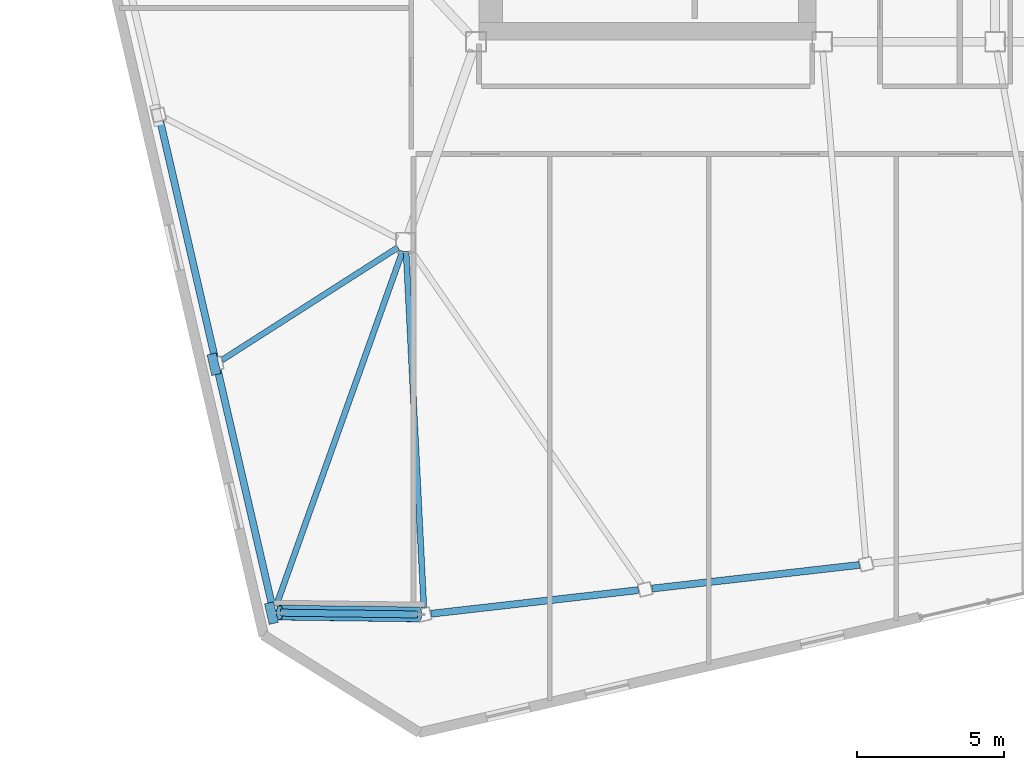
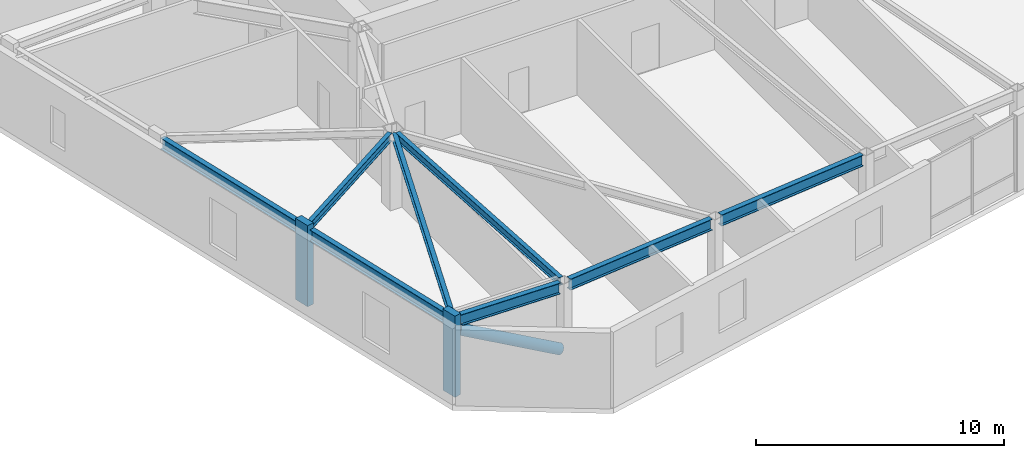
# One storey, part 4 of 23: 8 beams, 3 members.
"""IFC4 building model written with IfcOpenShell, lengths in metres."""

from ifc_helpers import new_model, si_unit, direction, frame, origin, origin_2d, place, context, subcontext, project, spatial, rectangle, hollow_circle, i_section, extrude, material, material_profile, profile_set, type_object, element, save


model = new_model("IFC4")

# Units and contexts
model_context = context("Model", 3, precision=1e-05, world=origin(), true_north=direction((0.0, 1.0)))
body_context = subcontext(model_context, "Body", "Model", "MODEL_VIEW")
ifc_project = project(units=[si_unit("LENGTHUNIT", "METRE"), si_unit("AREAUNIT", "SQUARE_METRE"), si_unit("VOLUMEUNIT", "CUBIC_METRE"), si_unit("PLANEANGLEUNIT", "RADIAN"), si_unit("MASSUNIT", "GRAM", prefix="KILO")], contexts=[model_context])

# Site, building, storey
site_placement = place(None, origin())
site = spatial("IfcSite", under=ifc_project, at=site_placement, CompositionType="ELEMENT")
building_placement = place(site_placement, origin())
building = spatial("IfcBuilding", under=site, at=building_placement, Name="Tavrogorsk Clinical Tower", CompositionType="ELEMENT")
storey_placement = place(building_placement, frame((0.0, 0.0, 301.0)))
storey = spatial("IfcBuildingStorey", under=building, at=storey_placement, Name="L70", CompositionType="ELEMENT", Elevation=301.0)

# Member
ifc_material_1 = material(Name="Structural steel S440", Category="steel")
ifc_material_profile_1 = material_profile(ifc_material_1, hollow_circle(Radius=0.25390625, WallThickness=0.02001953125, at=origin_2d()), Name="CHS-508x20")
ifc_profile_set_1 = profile_set([ifc_material_profile_1], Name="Structural steel S440")
member_type_1 = type_object("IfcMemberType", Name="ExoBrace_CHS508", PredefinedType="BRACE", material=ifc_profile_set_1)
member_placement = place(storey_placement, frame((-24.07080078125, -25.883056640625, 0.412841796875), z_axis=(-0.874894907887, 0.011394569062, 0.484178752062), x_axis=(-0.013022824449, -0.999915199426, 0.0)))
element("IfcMember", 1, at=member_placement, inside=storey, type_object=member_type_1, Name="L70 Corner Exoskeleton Brace W5-S1", PredefinedType="BRACE", context=body_context, shape_type="SweptSolid", body=[
    extrude(hollow_circle(Radius=0.25390625, WallThickness=0.02001953125, at=origin_2d()), origin(), (0.0, 0.0, 1.0), 5.3994140625),
])

# Beams
ifc_material_2 = material(Name="Structural steel S355", Category="steel")
ifc_material_profile_2 = material_profile(ifc_material_2, i_section(OverallWidth=0.199951171875, OverallDepth=0.39990234375, WebThickness=0.010498046875, FlangeThickness=0.01611328125, at=origin_2d()), Name="B-400x200x10.5x16")
ifc_profile_set_2 = profile_set([ifc_material_profile_2], Name="Structural steel S355")
beam_type_1 = type_object("IfcBeamType", Name="FloorBeam_B400", PredefinedType="BEAM", material=ifc_profile_set_2)
beam_1_placement = place(storey_placement, frame((-24.484619140625, -13.509521484375, 3.5400390625), z_axis=(0.049857498916, -0.998756341558, 0.0), x_axis=(0.998756341558, 0.049857498916, 0.0)))
element("IfcBeam", 2, at=beam_1_placement, inside=storey, type_object=beam_type_1, Name="L70 Radial Floor Beam S1", PredefinedType="BEAM", context=body_context, shape_type="SweptSolid", body=[
    extrude(i_section(OverallWidth=0.199951171875, OverallDepth=0.39990234375, WebThickness=0.010498046875, FlangeThickness=0.01611328125, at=origin_2d()), origin(), (0.0, 0.0, 1.0), 12.15869140625),
])
beam_2_placement = place(storey_placement, frame((-24.76123046875, -13.3671875, 3.5400390625), z_axis=(-0.842332392078, -0.538958385459, 0.0), x_axis=(0.538958385459, -0.842332392078, 0.0)))
element("IfcBeam", 3, at=beam_2_placement, inside=storey, type_object=beam_type_1, Name="L70 Radial Floor Beam W4", PredefinedType="BEAM", context=body_context, shape_type="SweptSolid", body=[
    extrude(i_section(OverallWidth=0.199951171875, OverallDepth=0.39990234375, WebThickness=0.010498046875, FlangeThickness=0.01611328125, at=origin_2d()), origin(), (0.0, 0.0, 1.0), 7.123779296875),
])
beam_3_placement = place(storey_placement, frame((-24.60400390625, -13.491943359375, 3.5400390625), z_axis=(-0.335800921645, -0.941932981173, 0.0), x_axis=(0.941932981173, -0.335800921645, 0.0)))
element("IfcBeam", 4, at=beam_3_placement, inside=storey, type_object=beam_type_1, Name="L70 Radial Floor Beam W5", PredefinedType="BEAM", context=body_context, shape_type="SweptSolid", body=[
    extrude(i_section(OverallWidth=0.199951171875, OverallDepth=0.39990234375, WebThickness=0.010498046875, FlangeThickness=0.01611328125, at=origin_2d()), origin(), (0.0, 0.0, 1.0), 12.85400390625),
])

# Members
ifc_material_3 = material(Name="Precast concrete B45 with limestone cladding", Category="masonry")
ifc_material_profile_3 = material_profile(ifc_material_3, rectangle(XDim=0.320068359375, YDim=0.719970703125, at=origin_2d()), Name="LIMESTONE-FIN-320x720")
ifc_profile_set_3 = profile_set([ifc_material_profile_3], Name="Precast concrete B45 with limestone cladding")
member_type_2 = type_object("IfcMemberType", Name="LimestonePleatFin_320x720", PredefinedType="USERDEFINED", material=ifc_profile_set_3)
for number, where, z_axis, x_axis, name in (
    (5, (-31.035888671875, -17.35009765625, 0.0), (0.0, 0.0, 1.0), (0.974370064785, 0.224951054344, 0.0), "L70 W Pleated Stone Fin 3"),
    (6, (-29.07666015625, -25.8369140625, 0.0), (0.0, 0.0, 1.0), (0.974370064785, 0.224951054344, 0.0), "L70 W Pleated Stone Fin 4"),
):
    element("IfcMember", number, at=place(storey_placement, frame(where, z_axis=z_axis, x_axis=x_axis)), inside=storey, type_object=member_type_2, Name=name, ObjectType="FIN", PredefinedType="USERDEFINED", context=body_context, shape_type="SweptSolid", body=[
        extrude(rectangle(XDim=0.320068359375, YDim=0.719970703125, at=origin_2d()), origin(), (0.0, 0.0, 1.0), 4.0),
    ])

# Beams
ifc_material_4 = material(Name="Structural steel S390", Category="steel")
ifc_material_profile_4 = material_profile(ifc_material_4, i_section(OverallWidth=0.239990234375, OverallDepth=0.550048828125, WebThickness=0.013916015625, FlangeThickness=0.02197265625, at=origin_2d()), Name="B-550x240x14x22")
ifc_profile_set_4 = profile_set([ifc_material_profile_4], Name="Structural steel S390")
beam_type_2 = type_object("IfcBeamType", Name="SpandrelBeam_B550", PredefinedType="SPANDREL", material=ifc_profile_set_4)
for number, where, z_axis, x_axis, name in (
    (7, (-23.635498046875, -25.859375, 3.465087890625), (0.993572073137, 0.113201305126, 0.0), (-0.113201305126, 0.993572073137, 0.0), "L70 Perimeter Spandrel S1-S2"),
    (8, (-16.098876953125, -25.000732421875, 3.465087890625), (0.993572073137, 0.113201305126, 0.0), (-0.113201305126, 0.993572073137, 0.0), "L70 Perimeter Spandrel S2-S3"),
):
    element("IfcBeam", number, at=place(storey_placement, frame(where, z_axis=z_axis, x_axis=x_axis)), inside=storey, type_object=beam_type_2, Name=name, PredefinedType="SPANDREL", context=body_context, shape_type="SweptSolid", body=[
        extrude(i_section(OverallWidth=0.239990234375, OverallDepth=0.550048828125, WebThickness=0.013916015625, FlangeThickness=0.02197265625, at=origin_2d()), origin(), (0.0, 0.0, 1.0), 7.119140625),
    ])
beam_4_placement = place(storey_placement, frame((-32.864990234375, -9.072509765625, 3.465087890625), z_axis=(0.224978460613, -0.974363737144, 0.0), x_axis=(0.974363737144, 0.224978460613, 0.0)))
element("IfcBeam", 9, at=beam_4_placement, inside=storey, type_object=beam_type_2, Name="L70 Perimeter Spandrel W3-W4", PredefinedType="SPANDREL", context=body_context, shape_type="SweptSolid", body=[
    extrude(i_section(OverallWidth=0.239990234375, OverallDepth=0.550048828125, WebThickness=0.013916015625, FlangeThickness=0.02197265625, at=origin_2d()), origin(), (0.0, 0.0, 1.0), 8.244140625),
])
beam_5_placement = place(storey_placement, frame((-30.905517578125, -17.559326171875, 3.465087890625), z_axis=(0.224950345141, -0.974370228517, 0.0), x_axis=(0.974370228517, 0.224950345141, 0.0)))
element("IfcBeam", 10, at=beam_5_placement, inside=storey, type_object=beam_type_2, Name="L70 Perimeter Spandrel W4-W5", PredefinedType="SPANDREL", context=body_context, shape_type="SweptSolid", body=[
    extrude(i_section(OverallWidth=0.239990234375, OverallDepth=0.550048828125, WebThickness=0.013916015625, FlangeThickness=0.02197265625, at=origin_2d()), origin(), (0.0, 0.0, 1.0), 8.243896484375),
])
beam_6_placement = place(storey_placement, frame((-28.765625, -25.822021484375, 3.465087890625), z_axis=(0.999915131489, -0.013028039754, 0.0), x_axis=(0.013028039754, 0.999915131489, 0.0)))
element("IfcBeam", 11, at=beam_6_placement, inside=storey, type_object=beam_type_2, Name="L70 Perimeter Spandrel W5-S1", PredefinedType="SPANDREL", context=body_context, shape_type="SweptSolid", body=[
    extrude(i_section(OverallWidth=0.239990234375, OverallDepth=0.550048828125, WebThickness=0.013916015625, FlangeThickness=0.02197265625, at=origin_2d()), origin(), (0.0, 0.0, 1.0), 4.666259765625),
])

save(model, "model.ifc")
